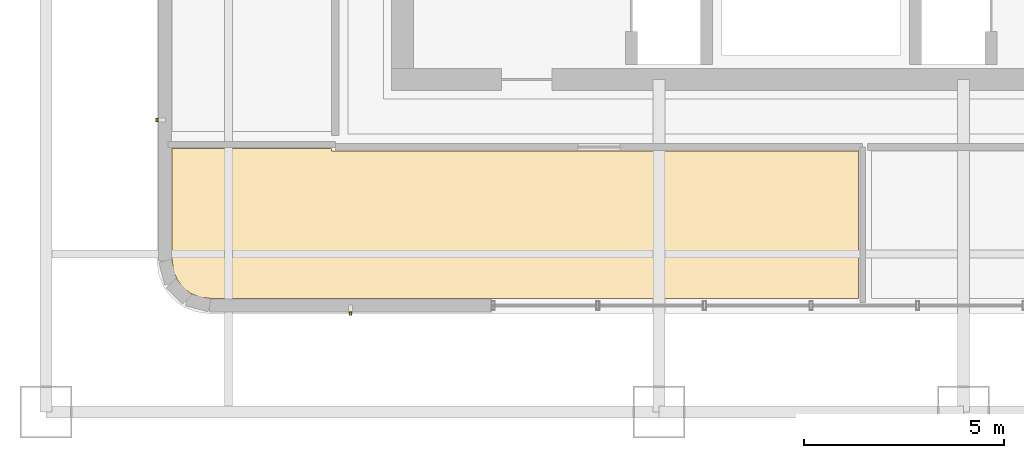
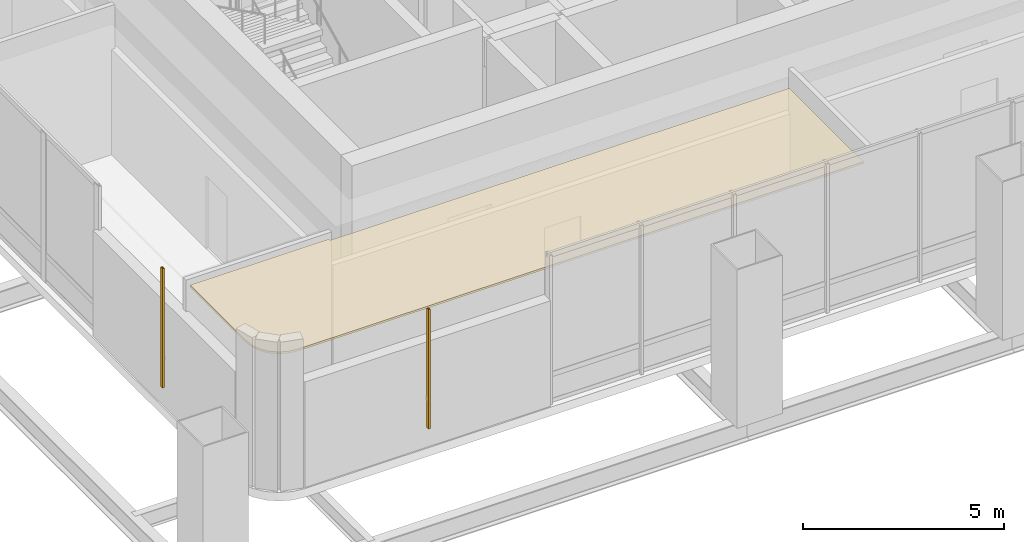
# One storey, part 23 of 33: 2 shading devices, 1 covering.
"""IFC4 building model written with IfcOpenShell, lengths in metres."""

from ifc_helpers import new_model, si_unit, direction, frame, origin, origin_2d, place, context, subcontext, project, spatial, polyline, hollow_rectangle, outline, extrude, material, layer, layer_set, material_profile, profile_set, type_object, element, save


model = new_model("IFC4")

# Units and contexts
model_context = context("Model", 3, precision=1e-05, world=origin(), true_north=direction((0.0, 1.0)))
body_context = subcontext(model_context, "Body", "Model", "MODEL_VIEW")
ifc_project = project(units=[si_unit("LENGTHUNIT", "METRE"), si_unit("AREAUNIT", "SQUARE_METRE"), si_unit("VOLUMEUNIT", "CUBIC_METRE"), si_unit("PLANEANGLEUNIT", "RADIAN"), si_unit("MASSUNIT", "GRAM", prefix="KILO")], contexts=[model_context])

# Site, building, storey
site_placement = place(None, origin())
site = spatial("IfcSite", under=ifc_project, at=site_placement, CompositionType="ELEMENT")
building_placement = place(site_placement, origin())
building = spatial("IfcBuilding", under=site, at=building_placement, Name="Punatoya Terracotta Tower", CompositionType="ELEMENT")
storey_placement = place(building_placement, frame((0.0, 0.0, 246.60009765625)))
storey = spatial("IfcBuildingStorey", under=building, at=storey_placement, Name="L58", CompositionType="ELEMENT", Elevation=246.60009765625)

# Covering
ifc_material_1 = material(Name="Acoustic Mineral Fibre Ceiling")
ifc_layer = layer(ifc_material_1, 0.06005859375)
ifc_layer_set = layer_set([ifc_layer], Name="Acoustic Mineral Fibre Ceiling")
covering_type = type_object("IfcCoveringType", Name="COV-CEIL-60", PredefinedType="CEILING", material=ifc_layer_set)
covering_placement = place(storey_placement, frame((0.0, 0.0, 3.929931640625)))
element("IfcCovering", 1, at=covering_placement, inside=storey, type_object=covering_type, Name="L58 Quantitative Practice Office Acoustic Ceiling", PredefinedType="CEILING", context=body_context, shape_type="SweptSolid", body=[
    extrude(outline(polyline([(-15.67822265625, -14.38818359375), (-15.48828125, -14.533935546875), (-15.267333984375, -14.62548828125), (-15.005126953125, -14.659912109375), (1.18603515625, -14.659912109375), (1.18603515625, -10.97998046875), (-11.97998046875, -10.97998046875), (-11.97998046875, -10.919921875), (-15.949951171875, -10.919921875), (-15.949951171875, -13.715087890625), (-15.91552734375, -13.977294921875), (-15.823974609375, -14.1982421875), (-15.67822265625, -14.38818359375)])), origin(), (0.0, 0.0, 1.0), 0.06005859375),
])

# Shading devices
ifc_material_2 = material(Name="Architectural Fired Terracotta", Category="masonry")
ifc_material_profile = material_profile(ifc_material_2, hollow_rectangle(XDim=0.06005859375, YDim=0.090087890625, WallThickness=0.013916015625, at=origin_2d()))
ifc_profile_set = profile_set([ifc_material_profile], Name="Architectural Fired Terracotta")
shading_device_type = type_object("IfcShadingDeviceType", Name="SHD-JALI-90", PredefinedType="JALOUSIE", material=ifc_profile_set)
for number, where, z_axis, x_axis, name in (
    (2, (-11.49853515625, -15.0400390625, 0.599853515625), (0.0, 0.0, 1.0), (1.0, 0.0, 0.0), "L58 Braced Bay Terracotta Jali Fin S1"),
    (3, (-16.330078125, -10.20849609375, 0.599853515625), (0.0, 0.0, 1.0), (1.0, 0.0, 0.0), "L58 Braced Bay Terracotta Jali Fin W2"),
):
    element("IfcShadingDevice", number, at=place(storey_placement, frame(where, z_axis=z_axis, x_axis=x_axis)), inside=storey, type_object=shading_device_type, Name=name, PredefinedType="JALOUSIE", context=body_context, shape_type="SweptSolid", body=[
        extrude(hollow_rectangle(XDim=0.06005859375, YDim=0.090087890625, WallThickness=0.013916015625, at=origin_2d()), origin(), (0.0, 0.0, 1.0), 3.6201171875),
    ])

save(model, "model.ifc")
